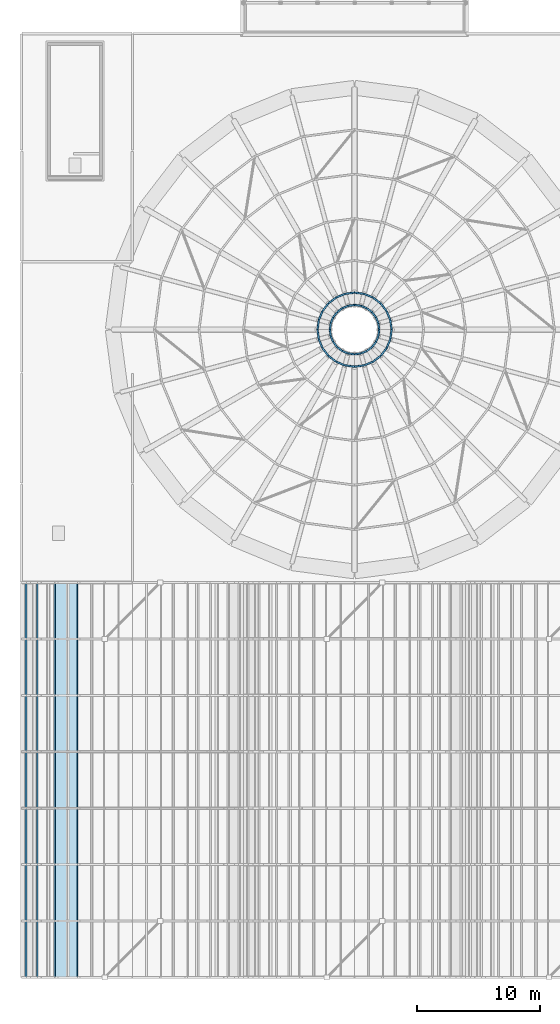
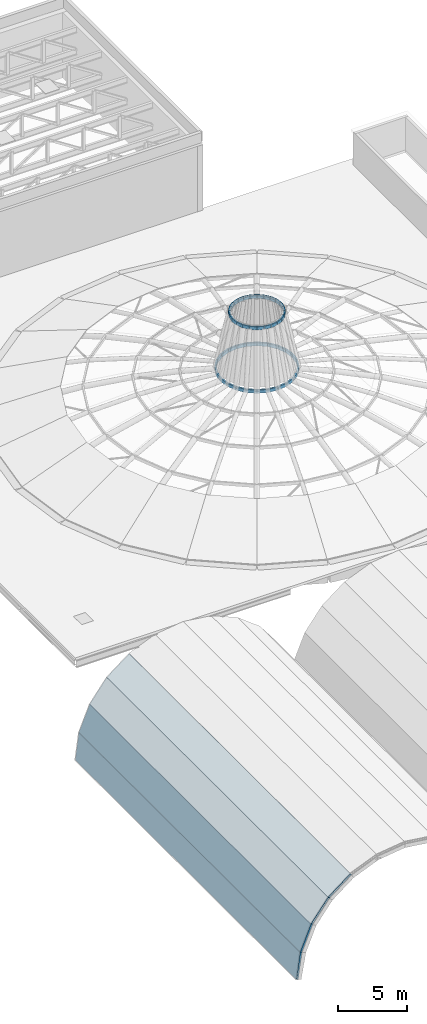
# One storey, part 16 of 25: 48 members, 4 slabs.
"""IFC4 building model written with IfcOpenShell, lengths in metres."""

from ifc_helpers import new_model, si_unit, direction, frame, origin, origin_2d, place, context, subcontext, project, spatial, polyline, hollow_rectangle, outline, extrude, material, layer, layer_set, material_profile, profile_set, type_object, element, save


model = new_model("IFC4")

# Units and contexts
model_context = context("Model", 3, precision=1e-05, world=origin(), true_north=direction((0.0, 1.0)))
body_context = subcontext(model_context, "Body", "Model", "MODEL_VIEW")
ifc_project = project(units=[si_unit("LENGTHUNIT", "METRE"), si_unit("AREAUNIT", "SQUARE_METRE"), si_unit("VOLUMEUNIT", "CUBIC_METRE"), si_unit("PLANEANGLEUNIT", "RADIAN"), si_unit("MASSUNIT", "GRAM", prefix="KILO")], contexts=[model_context])

# Site, building, storey
site_placement = place(None, origin())
site = spatial("IfcSite", under=ifc_project, at=site_placement, CompositionType="ELEMENT")
building_placement = place(site_placement, origin())
building = spatial("IfcBuilding", under=site, at=building_placement, Name="Marnock Terrace Opera House", CompositionType="ELEMENT")
storey_placement = place(building_placement, frame((0.0, 0.0, 28.199951171875)))
storey = spatial("IfcBuildingStorey", under=building, at=storey_placement, Name="RF", CompositionType="ELEMENT", Elevation=28.199951171875)

# Members
ifc_material_1 = material(Name="Cold-formed Steel Grade C350L0 (AS/NZS 1163)", Category="steel")
ifc_material_profile = material_profile(ifc_material_1, hollow_rectangle(XDim=0.14990234375, YDim=0.300048828125, WallThickness=0.010009765625, InnerFilletRadius=0.010009765625, OuterFilletRadius=0.02001953125, at=origin_2d()))
ifc_profile_set = profile_set([ifc_material_profile], Name="Cold-formed Steel Grade C350L0 (AS/NZS 1163)")
member_type = type_object("IfcMemberType", Name="MEM-DOME-RING1", PredefinedType="PURLIN", material=ifc_profile_set)
member_1_placement = place(storey_placement, frame((85.0, 60.5, 3.755126953125), z_axis=(-0.130631937531, 0.991430934002, 0.0), x_axis=(-0.991430934002, -0.130631937531, 0.0)))
element("IfcMember", 1, at=member_1_placement, inside=storey, type_object=member_type, Name="Auditorium dome latitude purlin ring 5.1", PredefinedType="PURLIN", context=body_context, shape_type="SweptSolid", body=[
    extrude(hollow_rectangle(XDim=0.14990234375, YDim=0.300048828125, WallThickness=0.010009765625, InnerFilletRadius=0.010009765625, OuterFilletRadius=0.02001953125, at=origin_2d()), origin(), (0.0, 0.0, 1.0), 0.782958984375),
])
member_2_placement = place(storey_placement, frame((84.0, 60.5, 8.64501953125), z_axis=(-0.130478707622, 0.991451111683, 0.0), x_axis=(-0.991451111683, -0.130478707622, 0.0)))
element("IfcMember", 2, at=member_2_placement, inside=storey, type_object=member_type, Name="Auditorium dome crown compression ring 1", PredefinedType="PURLIN", context=body_context, shape_type="SweptSolid", body=[
    extrude(hollow_rectangle(XDim=0.14990234375, YDim=0.300048828125, WallThickness=0.010009765625, InnerFilletRadius=0.010009765625, OuterFilletRadius=0.02001953125, at=origin_2d()), origin(), (0.0, 0.0, 1.0), 0.52197265625),
])
member_3_placement = place(storey_placement, frame((84.897705078125, 61.2763671875, 3.755126953125), z_axis=(-0.382489454875, 0.923959856763, 0.0), x_axis=(-0.923959856763, -0.382489454875, 0.0)))
element("IfcMember", 3, at=member_3_placement, inside=storey, type_object=member_type, Name="Auditorium dome latitude purlin ring 5.2", PredefinedType="PURLIN", context=body_context, shape_type="SweptSolid", body=[
    extrude(hollow_rectangle(XDim=0.14990234375, YDim=0.300048828125, WallThickness=0.010009765625, InnerFilletRadius=0.010009765625, OuterFilletRadius=0.02001953125, at=origin_2d()), origin(), (0.0, 0.0, 1.0), 0.783203125),
])
member_4_placement = place(storey_placement, frame((83.931884765625, 61.017578125, 8.64501953125), z_axis=(-0.382888531077, 0.923794551169, 0.0), x_axis=(-0.923794551169, -0.382888531077, 0.0)))
element("IfcMember", 4, at=member_4_placement, inside=storey, type_object=member_type, Name="Auditorium dome crown compression ring 2", PredefinedType="PURLIN", context=body_context, shape_type="SweptSolid", body=[
    extrude(hollow_rectangle(XDim=0.14990234375, YDim=0.300048828125, WallThickness=0.010009765625, InnerFilletRadius=0.010009765625, OuterFilletRadius=0.02001953125, at=origin_2d()), origin(), (0.0, 0.0, 1.0), 0.522216796875),
])
member_5_placement = place(storey_placement, frame((84.59814453125, 62.0, 3.755126953125), z_axis=(-0.608791411033, 0.793330333374, 0.0), x_axis=(-0.793330333374, -0.608791411033, 0.0)))
element("IfcMember", 5, at=member_5_placement, inside=storey, type_object=member_type, Name="Auditorium dome latitude purlin ring 5.3", PredefinedType="PURLIN", context=body_context, shape_type="SweptSolid", body=[
    extrude(hollow_rectangle(XDim=0.14990234375, YDim=0.300048828125, WallThickness=0.010009765625, InnerFilletRadius=0.010009765625, OuterFilletRadius=0.02001953125, at=origin_2d()), origin(), (0.0, 0.0, 1.0), 0.783203125),
])
member_6_placement = place(storey_placement, frame((83.73193359375, 61.5, 8.64501953125), z_axis=(-0.608421725759, 0.79361388825, 0.0), x_axis=(-0.79361388825, -0.608421725759, 0.0)))
element("IfcMember", 6, at=member_6_placement, inside=storey, type_object=member_type, Name="Auditorium dome crown compression ring 3", PredefinedType="PURLIN", context=body_context, shape_type="SweptSolid", body=[
    extrude(hollow_rectangle(XDim=0.14990234375, YDim=0.300048828125, WallThickness=0.010009765625, InnerFilletRadius=0.010009765625, OuterFilletRadius=0.02001953125, at=origin_2d()), origin(), (0.0, 0.0, 1.0), 0.52197265625),
])
member_7_placement = place(storey_placement, frame((84.121337890625, 62.621337890625, 3.755126953125), z_axis=(-0.793330333374, 0.608791411033, 0.0), x_axis=(-0.608791411033, -0.793330333374, 0.0)))
element("IfcMember", 7, at=member_7_placement, inside=storey, type_object=member_type, Name="Auditorium dome latitude purlin ring 5.4", PredefinedType="PURLIN", context=body_context, shape_type="SweptSolid", body=[
    extrude(hollow_rectangle(XDim=0.14990234375, YDim=0.300048828125, WallThickness=0.010009765625, InnerFilletRadius=0.010009765625, OuterFilletRadius=0.02001953125, at=origin_2d()), origin(), (0.0, 0.0, 1.0), 0.783203125),
])
member_8_placement = place(storey_placement, frame((83.414306640625, 61.914306640625, 8.64501953125), z_axis=(-0.79361388825, 0.608421725759, 0.0), x_axis=(-0.608421725759, -0.79361388825, 0.0)))
element("IfcMember", 8, at=member_8_placement, inside=storey, type_object=member_type, Name="Auditorium dome crown compression ring 4", PredefinedType="PURLIN", context=body_context, shape_type="SweptSolid", body=[
    extrude(hollow_rectangle(XDim=0.14990234375, YDim=0.300048828125, WallThickness=0.010009765625, InnerFilletRadius=0.010009765625, OuterFilletRadius=0.02001953125, at=origin_2d()), origin(), (0.0, 0.0, 1.0), 0.52197265625),
])
member_9_placement = place(storey_placement, frame((83.5, 63.09814453125, 3.755126953125), z_axis=(-0.923959856763, 0.382489454875, 0.0), x_axis=(-0.382489454875, -0.923959856763, 0.0)))
element("IfcMember", 9, at=member_9_placement, inside=storey, type_object=member_type, Name="Auditorium dome latitude purlin ring 5.5", PredefinedType="PURLIN", context=body_context, shape_type="SweptSolid", body=[
    extrude(hollow_rectangle(XDim=0.14990234375, YDim=0.300048828125, WallThickness=0.010009765625, InnerFilletRadius=0.010009765625, OuterFilletRadius=0.02001953125, at=origin_2d()), origin(), (0.0, 0.0, 1.0), 0.783203125),
])
member_10_placement = place(storey_placement, frame((83.0, 62.23193359375, 8.64501953125), z_axis=(-0.923794551169, 0.382888531077, 0.0), x_axis=(-0.382888531077, -0.923794551169, 0.0)))
element("IfcMember", 10, at=member_10_placement, inside=storey, type_object=member_type, Name="Auditorium dome crown compression ring 5", PredefinedType="PURLIN", context=body_context, shape_type="SweptSolid", body=[
    extrude(hollow_rectangle(XDim=0.14990234375, YDim=0.300048828125, WallThickness=0.010009765625, InnerFilletRadius=0.010009765625, OuterFilletRadius=0.02001953125, at=origin_2d()), origin(), (0.0, 0.0, 1.0), 0.522216796875),
])
member_11_placement = place(storey_placement, frame((82.7763671875, 63.397705078125, 3.755126953125), z_axis=(-0.991430934002, 0.130631937531, 0.0), x_axis=(-0.130631937531, -0.991430934002, 0.0)))
element("IfcMember", 11, at=member_11_placement, inside=storey, type_object=member_type, Name="Auditorium dome latitude purlin ring 5.6", PredefinedType="PURLIN", context=body_context, shape_type="SweptSolid", body=[
    extrude(hollow_rectangle(XDim=0.14990234375, YDim=0.300048828125, WallThickness=0.010009765625, InnerFilletRadius=0.010009765625, OuterFilletRadius=0.02001953125, at=origin_2d()), origin(), (0.0, 0.0, 1.0), 0.782958984375),
])
member_12_placement = place(storey_placement, frame((82.517578125, 62.431884765625, 8.64501953125), z_axis=(-0.991451111683, 0.130478707622, 0.0), x_axis=(-0.130478707622, -0.991451111683, 0.0)))
element("IfcMember", 12, at=member_12_placement, inside=storey, type_object=member_type, Name="Auditorium dome crown compression ring 6", PredefinedType="PURLIN", context=body_context, shape_type="SweptSolid", body=[
    extrude(hollow_rectangle(XDim=0.14990234375, YDim=0.300048828125, WallThickness=0.010009765625, InnerFilletRadius=0.010009765625, OuterFilletRadius=0.02001953125, at=origin_2d()), origin(), (0.0, 0.0, 1.0), 0.52197265625),
])
member_13_placement = place(storey_placement, frame((82.0, 63.5, 3.755126953125), z_axis=(-0.991430934002, -0.130631937531, 0.0), x_axis=(0.130631937531, -0.991430934002, 0.0)))
element("IfcMember", 13, at=member_13_placement, inside=storey, type_object=member_type, Name="Auditorium dome latitude purlin ring 5.7", PredefinedType="PURLIN", context=body_context, shape_type="SweptSolid", body=[
    extrude(hollow_rectangle(XDim=0.14990234375, YDim=0.300048828125, WallThickness=0.010009765625, InnerFilletRadius=0.010009765625, OuterFilletRadius=0.02001953125, at=origin_2d()), origin(), (0.0, 0.0, 1.0), 0.782958984375),
])
member_14_placement = place(storey_placement, frame((82.0, 62.5, 8.64501953125), z_axis=(-0.991451111683, -0.130478707622, 0.0), x_axis=(0.130478707622, -0.991451111683, 0.0)))
element("IfcMember", 14, at=member_14_placement, inside=storey, type_object=member_type, Name="Auditorium dome crown compression ring 7", PredefinedType="PURLIN", context=body_context, shape_type="SweptSolid", body=[
    extrude(hollow_rectangle(XDim=0.14990234375, YDim=0.300048828125, WallThickness=0.010009765625, InnerFilletRadius=0.010009765625, OuterFilletRadius=0.02001953125, at=origin_2d()), origin(), (0.0, 0.0, 1.0), 0.52197265625),
])
member_15_placement = place(storey_placement, frame((81.2236328125, 63.397705078125, 3.755126953125), z_axis=(-0.923959856763, -0.382489454875, 0.0), x_axis=(0.382489454875, -0.923959856763, 0.0)))
element("IfcMember", 15, at=member_15_placement, inside=storey, type_object=member_type, Name="Auditorium dome latitude purlin ring 5.8", PredefinedType="PURLIN", context=body_context, shape_type="SweptSolid", body=[
    extrude(hollow_rectangle(XDim=0.14990234375, YDim=0.300048828125, WallThickness=0.010009765625, InnerFilletRadius=0.010009765625, OuterFilletRadius=0.02001953125, at=origin_2d()), origin(), (0.0, 0.0, 1.0), 0.783203125),
])
member_16_placement = place(storey_placement, frame((81.482421875, 62.431884765625, 8.64501953125), z_axis=(-0.923794551169, -0.382888531077, 0.0), x_axis=(0.382888531077, -0.923794551169, 0.0)))
element("IfcMember", 16, at=member_16_placement, inside=storey, type_object=member_type, Name="Auditorium dome crown compression ring 8", PredefinedType="PURLIN", context=body_context, shape_type="SweptSolid", body=[
    extrude(hollow_rectangle(XDim=0.14990234375, YDim=0.300048828125, WallThickness=0.010009765625, InnerFilletRadius=0.010009765625, OuterFilletRadius=0.02001953125, at=origin_2d()), origin(), (0.0, 0.0, 1.0), 0.522216796875),
])
member_17_placement = place(storey_placement, frame((80.5, 63.09814453125, 3.755126953125), z_axis=(-0.793330333374, -0.608791411033, 0.0), x_axis=(0.608791411033, -0.793330333374, 0.0)))
element("IfcMember", 17, at=member_17_placement, inside=storey, type_object=member_type, Name="Auditorium dome latitude purlin ring 5.9", PredefinedType="PURLIN", context=body_context, shape_type="SweptSolid", body=[
    extrude(hollow_rectangle(XDim=0.14990234375, YDim=0.300048828125, WallThickness=0.010009765625, InnerFilletRadius=0.010009765625, OuterFilletRadius=0.02001953125, at=origin_2d()), origin(), (0.0, 0.0, 1.0), 0.783203125),
])
member_18_placement = place(storey_placement, frame((81.0, 62.23193359375, 8.64501953125), z_axis=(-0.79361388825, -0.608421725759, 0.0), x_axis=(0.608421725759, -0.79361388825, 0.0)))
element("IfcMember", 18, at=member_18_placement, inside=storey, type_object=member_type, Name="Auditorium dome crown compression ring 9", PredefinedType="PURLIN", context=body_context, shape_type="SweptSolid", body=[
    extrude(hollow_rectangle(XDim=0.14990234375, YDim=0.300048828125, WallThickness=0.010009765625, InnerFilletRadius=0.010009765625, OuterFilletRadius=0.02001953125, at=origin_2d()), origin(), (0.0, 0.0, 1.0), 0.52197265625),
])
member_19_placement = place(storey_placement, frame((79.878662109375, 62.621337890625, 3.755126953125), z_axis=(-0.608791411033, -0.793330333374, 0.0), x_axis=(0.793330333374, -0.608791411033, 0.0)))
element("IfcMember", 19, at=member_19_placement, inside=storey, type_object=member_type, Name="Auditorium dome latitude purlin ring 5.10", PredefinedType="PURLIN", context=body_context, shape_type="SweptSolid", body=[
    extrude(hollow_rectangle(XDim=0.14990234375, YDim=0.300048828125, WallThickness=0.010009765625, InnerFilletRadius=0.010009765625, OuterFilletRadius=0.02001953125, at=origin_2d()), origin(), (0.0, 0.0, 1.0), 0.783203125),
])
member_20_placement = place(storey_placement, frame((80.585693359375, 61.914306640625, 8.64501953125), z_axis=(-0.608421725759, -0.79361388825, 0.0), x_axis=(0.79361388825, -0.608421725759, 0.0)))
element("IfcMember", 20, at=member_20_placement, inside=storey, type_object=member_type, Name="Auditorium dome crown compression ring 10", PredefinedType="PURLIN", context=body_context, shape_type="SweptSolid", body=[
    extrude(hollow_rectangle(XDim=0.14990234375, YDim=0.300048828125, WallThickness=0.010009765625, InnerFilletRadius=0.010009765625, OuterFilletRadius=0.02001953125, at=origin_2d()), origin(), (0.0, 0.0, 1.0), 0.52197265625),
])
member_21_placement = place(storey_placement, frame((79.40185546875, 62.0, 3.755126953125), z_axis=(-0.382489454875, -0.923959856763, 0.0), x_axis=(0.923959856763, -0.382489454875, 0.0)))
element("IfcMember", 21, at=member_21_placement, inside=storey, type_object=member_type, Name="Auditorium dome latitude purlin ring 5.11", PredefinedType="PURLIN", context=body_context, shape_type="SweptSolid", body=[
    extrude(hollow_rectangle(XDim=0.14990234375, YDim=0.300048828125, WallThickness=0.010009765625, InnerFilletRadius=0.010009765625, OuterFilletRadius=0.02001953125, at=origin_2d()), origin(), (0.0, 0.0, 1.0), 0.783203125),
])
member_22_placement = place(storey_placement, frame((80.26806640625, 61.5, 8.64501953125), z_axis=(-0.382888531077, -0.923794551169, 0.0), x_axis=(0.923794551169, -0.382888531077, 0.0)))
element("IfcMember", 22, at=member_22_placement, inside=storey, type_object=member_type, Name="Auditorium dome crown compression ring 11", PredefinedType="PURLIN", context=body_context, shape_type="SweptSolid", body=[
    extrude(hollow_rectangle(XDim=0.14990234375, YDim=0.300048828125, WallThickness=0.010009765625, InnerFilletRadius=0.010009765625, OuterFilletRadius=0.02001953125, at=origin_2d()), origin(), (0.0, 0.0, 1.0), 0.522216796875),
])
member_23_placement = place(storey_placement, frame((79.102294921875, 61.2763671875, 3.755126953125), z_axis=(-0.130631937531, -0.991430934002, 0.0), x_axis=(0.991430934002, -0.130631937531, 0.0)))
element("IfcMember", 23, at=member_23_placement, inside=storey, type_object=member_type, Name="Auditorium dome latitude purlin ring 5.12", PredefinedType="PURLIN", context=body_context, shape_type="SweptSolid", body=[
    extrude(hollow_rectangle(XDim=0.14990234375, YDim=0.300048828125, WallThickness=0.010009765625, InnerFilletRadius=0.010009765625, OuterFilletRadius=0.02001953125, at=origin_2d()), origin(), (0.0, 0.0, 1.0), 0.782958984375),
])
member_24_placement = place(storey_placement, frame((80.068115234375, 61.017578125, 8.64501953125), z_axis=(-0.130478707622, -0.991451111683, 0.0), x_axis=(0.991451111683, -0.130478707622, 0.0)))
element("IfcMember", 24, at=member_24_placement, inside=storey, type_object=member_type, Name="Auditorium dome crown compression ring 12", PredefinedType="PURLIN", context=body_context, shape_type="SweptSolid", body=[
    extrude(hollow_rectangle(XDim=0.14990234375, YDim=0.300048828125, WallThickness=0.010009765625, InnerFilletRadius=0.010009765625, OuterFilletRadius=0.02001953125, at=origin_2d()), origin(), (0.0, 0.0, 1.0), 0.52197265625),
])
member_25_placement = place(storey_placement, frame((79.0, 60.5, 3.755126953125), z_axis=(0.130631937531, -0.991430934002, 0.0), x_axis=(0.991430934002, 0.130631937531, 0.0)))
element("IfcMember", 25, at=member_25_placement, inside=storey, type_object=member_type, Name="Auditorium dome latitude purlin ring 5.13", PredefinedType="PURLIN", context=body_context, shape_type="SweptSolid", body=[
    extrude(hollow_rectangle(XDim=0.14990234375, YDim=0.300048828125, WallThickness=0.010009765625, InnerFilletRadius=0.010009765625, OuterFilletRadius=0.02001953125, at=origin_2d()), origin(), (0.0, 0.0, 1.0), 0.782958984375),
])
member_26_placement = place(storey_placement, frame((80.0, 60.5, 8.64501953125), z_axis=(0.130478707622, -0.991451111683, 0.0), x_axis=(0.991451111683, 0.130478707622, 0.0)))
element("IfcMember", 26, at=member_26_placement, inside=storey, type_object=member_type, Name="Auditorium dome crown compression ring 13", PredefinedType="PURLIN", context=body_context, shape_type="SweptSolid", body=[
    extrude(hollow_rectangle(XDim=0.14990234375, YDim=0.300048828125, WallThickness=0.010009765625, InnerFilletRadius=0.010009765625, OuterFilletRadius=0.02001953125, at=origin_2d()), origin(), (0.0, 0.0, 1.0), 0.52197265625),
])
member_27_placement = place(storey_placement, frame((79.102294921875, 59.7236328125, 3.755126953125), z_axis=(0.382489454875, -0.923959856763, 0.0), x_axis=(0.923959856763, 0.382489454875, 0.0)))
element("IfcMember", 27, at=member_27_placement, inside=storey, type_object=member_type, Name="Auditorium dome latitude purlin ring 5.14", PredefinedType="PURLIN", context=body_context, shape_type="SweptSolid", body=[
    extrude(hollow_rectangle(XDim=0.14990234375, YDim=0.300048828125, WallThickness=0.010009765625, InnerFilletRadius=0.010009765625, OuterFilletRadius=0.02001953125, at=origin_2d()), origin(), (0.0, 0.0, 1.0), 0.783203125),
])
member_28_placement = place(storey_placement, frame((80.068115234375, 59.982421875, 8.64501953125), z_axis=(0.382888531077, -0.923794551169, 0.0), x_axis=(0.923794551169, 0.382888531077, 0.0)))
element("IfcMember", 28, at=member_28_placement, inside=storey, type_object=member_type, Name="Auditorium dome crown compression ring 14", PredefinedType="PURLIN", context=body_context, shape_type="SweptSolid", body=[
    extrude(hollow_rectangle(XDim=0.14990234375, YDim=0.300048828125, WallThickness=0.010009765625, InnerFilletRadius=0.010009765625, OuterFilletRadius=0.02001953125, at=origin_2d()), origin(), (0.0, 0.0, 1.0), 0.522216796875),
])
member_29_placement = place(storey_placement, frame((79.40185546875, 59.0, 3.755126953125), z_axis=(0.608791411033, -0.793330333374, 0.0), x_axis=(0.793330333374, 0.608791411033, 0.0)))
element("IfcMember", 29, at=member_29_placement, inside=storey, type_object=member_type, Name="Auditorium dome latitude purlin ring 5.15", PredefinedType="PURLIN", context=body_context, shape_type="SweptSolid", body=[
    extrude(hollow_rectangle(XDim=0.14990234375, YDim=0.300048828125, WallThickness=0.010009765625, InnerFilletRadius=0.010009765625, OuterFilletRadius=0.02001953125, at=origin_2d()), origin(), (0.0, 0.0, 1.0), 0.783203125),
])
member_30_placement = place(storey_placement, frame((80.26806640625, 59.5, 8.64501953125), z_axis=(0.608421725759, -0.79361388825, 0.0), x_axis=(0.79361388825, 0.608421725759, 0.0)))
element("IfcMember", 30, at=member_30_placement, inside=storey, type_object=member_type, Name="Auditorium dome crown compression ring 15", PredefinedType="PURLIN", context=body_context, shape_type="SweptSolid", body=[
    extrude(hollow_rectangle(XDim=0.14990234375, YDim=0.300048828125, WallThickness=0.010009765625, InnerFilletRadius=0.010009765625, OuterFilletRadius=0.02001953125, at=origin_2d()), origin(), (0.0, 0.0, 1.0), 0.52197265625),
])
member_31_placement = place(storey_placement, frame((79.878662109375, 58.378662109375, 3.755126953125), z_axis=(0.793330333374, -0.608791411033, 0.0), x_axis=(0.608791411033, 0.793330333374, 0.0)))
element("IfcMember", 31, at=member_31_placement, inside=storey, type_object=member_type, Name="Auditorium dome latitude purlin ring 5.16", PredefinedType="PURLIN", context=body_context, shape_type="SweptSolid", body=[
    extrude(hollow_rectangle(XDim=0.14990234375, YDim=0.300048828125, WallThickness=0.010009765625, InnerFilletRadius=0.010009765625, OuterFilletRadius=0.02001953125, at=origin_2d()), origin(), (0.0, 0.0, 1.0), 0.783203125),
])
member_32_placement = place(storey_placement, frame((80.585693359375, 59.085693359375, 8.64501953125), z_axis=(0.79361388825, -0.608421725759, 0.0), x_axis=(0.608421725759, 0.79361388825, 0.0)))
element("IfcMember", 32, at=member_32_placement, inside=storey, type_object=member_type, Name="Auditorium dome crown compression ring 16", PredefinedType="PURLIN", context=body_context, shape_type="SweptSolid", body=[
    extrude(hollow_rectangle(XDim=0.14990234375, YDim=0.300048828125, WallThickness=0.010009765625, InnerFilletRadius=0.010009765625, OuterFilletRadius=0.02001953125, at=origin_2d()), origin(), (0.0, 0.0, 1.0), 0.52197265625),
])
member_33_placement = place(storey_placement, frame((80.5, 57.90185546875, 3.755126953125), z_axis=(0.923959856763, -0.382489454875, 0.0), x_axis=(0.382489454875, 0.923959856763, 0.0)))
element("IfcMember", 33, at=member_33_placement, inside=storey, type_object=member_type, Name="Auditorium dome latitude purlin ring 5.17", PredefinedType="PURLIN", context=body_context, shape_type="SweptSolid", body=[
    extrude(hollow_rectangle(XDim=0.14990234375, YDim=0.300048828125, WallThickness=0.010009765625, InnerFilletRadius=0.010009765625, OuterFilletRadius=0.02001953125, at=origin_2d()), origin(), (0.0, 0.0, 1.0), 0.783203125),
])
member_34_placement = place(storey_placement, frame((81.0, 58.76806640625, 8.64501953125), z_axis=(0.923794551169, -0.382888531077, 0.0), x_axis=(0.382888531077, 0.923794551169, 0.0)))
element("IfcMember", 34, at=member_34_placement, inside=storey, type_object=member_type, Name="Auditorium dome crown compression ring 17", PredefinedType="PURLIN", context=body_context, shape_type="SweptSolid", body=[
    extrude(hollow_rectangle(XDim=0.14990234375, YDim=0.300048828125, WallThickness=0.010009765625, InnerFilletRadius=0.010009765625, OuterFilletRadius=0.02001953125, at=origin_2d()), origin(), (0.0, 0.0, 1.0), 0.522216796875),
])
member_35_placement = place(storey_placement, frame((81.2236328125, 57.602294921875, 3.755126953125), z_axis=(0.991430934002, -0.130631937531, 0.0), x_axis=(0.130631937531, 0.991430934002, 0.0)))
element("IfcMember", 35, at=member_35_placement, inside=storey, type_object=member_type, Name="Auditorium dome latitude purlin ring 5.18", PredefinedType="PURLIN", context=body_context, shape_type="SweptSolid", body=[
    extrude(hollow_rectangle(XDim=0.14990234375, YDim=0.300048828125, WallThickness=0.010009765625, InnerFilletRadius=0.010009765625, OuterFilletRadius=0.02001953125, at=origin_2d()), origin(), (0.0, 0.0, 1.0), 0.782958984375),
])
member_36_placement = place(storey_placement, frame((81.482421875, 58.568115234375, 8.64501953125), z_axis=(0.991451111683, -0.130478707622, 0.0), x_axis=(0.130478707622, 0.991451111683, 0.0)))
element("IfcMember", 36, at=member_36_placement, inside=storey, type_object=member_type, Name="Auditorium dome crown compression ring 18", PredefinedType="PURLIN", context=body_context, shape_type="SweptSolid", body=[
    extrude(hollow_rectangle(XDim=0.14990234375, YDim=0.300048828125, WallThickness=0.010009765625, InnerFilletRadius=0.010009765625, OuterFilletRadius=0.02001953125, at=origin_2d()), origin(), (0.0, 0.0, 1.0), 0.52197265625),
])
member_37_placement = place(storey_placement, frame((82.0, 57.5, 3.755126953125), z_axis=(0.991430934002, 0.130631937531, 0.0), x_axis=(-0.130631937531, 0.991430934002, 0.0)))
element("IfcMember", 37, at=member_37_placement, inside=storey, type_object=member_type, Name="Auditorium dome latitude purlin ring 5.19", PredefinedType="PURLIN", context=body_context, shape_type="SweptSolid", body=[
    extrude(hollow_rectangle(XDim=0.14990234375, YDim=0.300048828125, WallThickness=0.010009765625, InnerFilletRadius=0.010009765625, OuterFilletRadius=0.02001953125, at=origin_2d()), origin(), (0.0, 0.0, 1.0), 0.782958984375),
])
member_38_placement = place(storey_placement, frame((82.0, 58.5, 8.64501953125), z_axis=(0.991451111683, 0.130478707622, 0.0), x_axis=(-0.130478707622, 0.991451111683, 0.0)))
element("IfcMember", 38, at=member_38_placement, inside=storey, type_object=member_type, Name="Auditorium dome crown compression ring 19", PredefinedType="PURLIN", context=body_context, shape_type="SweptSolid", body=[
    extrude(hollow_rectangle(XDim=0.14990234375, YDim=0.300048828125, WallThickness=0.010009765625, InnerFilletRadius=0.010009765625, OuterFilletRadius=0.02001953125, at=origin_2d()), origin(), (0.0, 0.0, 1.0), 0.52197265625),
])
member_39_placement = place(storey_placement, frame((82.7763671875, 57.602294921875, 3.755126953125), z_axis=(0.923959856763, 0.382489454875, 0.0), x_axis=(-0.382489454875, 0.923959856763, 0.0)))
element("IfcMember", 39, at=member_39_placement, inside=storey, type_object=member_type, Name="Auditorium dome latitude purlin ring 5.20", PredefinedType="PURLIN", context=body_context, shape_type="SweptSolid", body=[
    extrude(hollow_rectangle(XDim=0.14990234375, YDim=0.300048828125, WallThickness=0.010009765625, InnerFilletRadius=0.010009765625, OuterFilletRadius=0.02001953125, at=origin_2d()), origin(), (0.0, 0.0, 1.0), 0.783203125),
])
member_40_placement = place(storey_placement, frame((82.517578125, 58.568115234375, 8.64501953125), z_axis=(0.923794551169, 0.382888531077, 0.0), x_axis=(-0.382888531077, 0.923794551169, 0.0)))
element("IfcMember", 40, at=member_40_placement, inside=storey, type_object=member_type, Name="Auditorium dome crown compression ring 20", PredefinedType="PURLIN", context=body_context, shape_type="SweptSolid", body=[
    extrude(hollow_rectangle(XDim=0.14990234375, YDim=0.300048828125, WallThickness=0.010009765625, InnerFilletRadius=0.010009765625, OuterFilletRadius=0.02001953125, at=origin_2d()), origin(), (0.0, 0.0, 1.0), 0.522216796875),
])
member_41_placement = place(storey_placement, frame((83.5, 57.90185546875, 3.755126953125), z_axis=(0.793330333374, 0.608791411033, 0.0), x_axis=(-0.608791411033, 0.793330333374, 0.0)))
element("IfcMember", 41, at=member_41_placement, inside=storey, type_object=member_type, Name="Auditorium dome latitude purlin ring 5.21", PredefinedType="PURLIN", context=body_context, shape_type="SweptSolid", body=[
    extrude(hollow_rectangle(XDim=0.14990234375, YDim=0.300048828125, WallThickness=0.010009765625, InnerFilletRadius=0.010009765625, OuterFilletRadius=0.02001953125, at=origin_2d()), origin(), (0.0, 0.0, 1.0), 0.783203125),
])
member_42_placement = place(storey_placement, frame((83.0, 58.76806640625, 8.64501953125), z_axis=(0.79361388825, 0.608421725759, 0.0), x_axis=(-0.608421725759, 0.79361388825, 0.0)))
element("IfcMember", 42, at=member_42_placement, inside=storey, type_object=member_type, Name="Auditorium dome crown compression ring 21", PredefinedType="PURLIN", context=body_context, shape_type="SweptSolid", body=[
    extrude(hollow_rectangle(XDim=0.14990234375, YDim=0.300048828125, WallThickness=0.010009765625, InnerFilletRadius=0.010009765625, OuterFilletRadius=0.02001953125, at=origin_2d()), origin(), (0.0, 0.0, 1.0), 0.52197265625),
])
member_43_placement = place(storey_placement, frame((84.121337890625, 58.378662109375, 3.755126953125), z_axis=(0.608791411033, 0.793330333374, 0.0), x_axis=(-0.793330333374, 0.608791411033, 0.0)))
element("IfcMember", 43, at=member_43_placement, inside=storey, type_object=member_type, Name="Auditorium dome latitude purlin ring 5.22", PredefinedType="PURLIN", context=body_context, shape_type="SweptSolid", body=[
    extrude(hollow_rectangle(XDim=0.14990234375, YDim=0.300048828125, WallThickness=0.010009765625, InnerFilletRadius=0.010009765625, OuterFilletRadius=0.02001953125, at=origin_2d()), origin(), (0.0, 0.0, 1.0), 0.783203125),
])
member_44_placement = place(storey_placement, frame((83.414306640625, 59.085693359375, 8.64501953125), z_axis=(0.608421725759, 0.79361388825, 0.0), x_axis=(-0.79361388825, 0.608421725759, 0.0)))
element("IfcMember", 44, at=member_44_placement, inside=storey, type_object=member_type, Name="Auditorium dome crown compression ring 22", PredefinedType="PURLIN", context=body_context, shape_type="SweptSolid", body=[
    extrude(hollow_rectangle(XDim=0.14990234375, YDim=0.300048828125, WallThickness=0.010009765625, InnerFilletRadius=0.010009765625, OuterFilletRadius=0.02001953125, at=origin_2d()), origin(), (0.0, 0.0, 1.0), 0.52197265625),
])
member_45_placement = place(storey_placement, frame((84.59814453125, 59.0, 3.755126953125), z_axis=(0.382489454875, 0.923959856763, 0.0), x_axis=(-0.923959856763, 0.382489454875, 0.0)))
element("IfcMember", 45, at=member_45_placement, inside=storey, type_object=member_type, Name="Auditorium dome latitude purlin ring 5.23", PredefinedType="PURLIN", context=body_context, shape_type="SweptSolid", body=[
    extrude(hollow_rectangle(XDim=0.14990234375, YDim=0.300048828125, WallThickness=0.010009765625, InnerFilletRadius=0.010009765625, OuterFilletRadius=0.02001953125, at=origin_2d()), origin(), (0.0, 0.0, 1.0), 0.783203125),
])
member_46_placement = place(storey_placement, frame((83.73193359375, 59.5, 8.64501953125), z_axis=(0.382888531077, 0.923794551169, 0.0), x_axis=(-0.923794551169, 0.382888531077, 0.0)))
element("IfcMember", 46, at=member_46_placement, inside=storey, type_object=member_type, Name="Auditorium dome crown compression ring 23", PredefinedType="PURLIN", context=body_context, shape_type="SweptSolid", body=[
    extrude(hollow_rectangle(XDim=0.14990234375, YDim=0.300048828125, WallThickness=0.010009765625, InnerFilletRadius=0.010009765625, OuterFilletRadius=0.02001953125, at=origin_2d()), origin(), (0.0, 0.0, 1.0), 0.522216796875),
])
member_47_placement = place(storey_placement, frame((84.897705078125, 59.7236328125, 3.755126953125), z_axis=(0.130631937531, 0.991430934002, 0.0), x_axis=(-0.991430934002, 0.130631937531, 0.0)))
element("IfcMember", 47, at=member_47_placement, inside=storey, type_object=member_type, Name="Auditorium dome latitude purlin ring 5.24", PredefinedType="PURLIN", context=body_context, shape_type="SweptSolid", body=[
    extrude(hollow_rectangle(XDim=0.14990234375, YDim=0.300048828125, WallThickness=0.010009765625, InnerFilletRadius=0.010009765625, OuterFilletRadius=0.02001953125, at=origin_2d()), origin(), (0.0, 0.0, 1.0), 0.782958984375),
])
member_48_placement = place(storey_placement, frame((83.931884765625, 59.982421875, 8.64501953125), z_axis=(0.130478707622, 0.991451111683, 0.0), x_axis=(-0.991451111683, 0.130478707622, 0.0)))
element("IfcMember", 48, at=member_48_placement, inside=storey, type_object=member_type, Name="Auditorium dome crown compression ring 24", PredefinedType="PURLIN", context=body_context, shape_type="SweptSolid", body=[
    extrude(hollow_rectangle(XDim=0.14990234375, YDim=0.300048828125, WallThickness=0.010009765625, InnerFilletRadius=0.010009765625, OuterFilletRadius=0.02001953125, at=origin_2d()), origin(), (0.0, 0.0, 1.0), 0.52197265625),
])

# Slabs
ifc_material_2 = material(Name="Steel Grade 350 (AS/NZS 3679.1)", Category="steel")
ifc_layer = layer(ifc_material_2, 0.159912109375)
ifc_layer_set = layer_set([ifc_layer], Name="Steel Grade 350 (AS/NZS 3679.1)")
slab_type = type_object("IfcSlabType", Name="SL-CANOPY-160", PredefinedType="ROOF", material=ifc_layer_set)
slab_1_placement = place(storey_placement, frame((55.0, 8.0, -9.0), z_axis=(-0.991446158732, 0.0, 0.130516337425), x_axis=(0.130516337425, 0.0, 0.991446158732)))
element("IfcSlab", 49, at=slab_1_placement, inside=storey, type_object=slab_type, Name="Barrel vault 1 composite structural shell facet 1", PredefinedType="ROOF", context=body_context, shape_type="SweptSolid", body=[
    extrude(outline(polyline([(0.0, 0.0), (2.3494424610037363, 0.0), (2.3494424610037363, 32.0), (0.0, 32.0), (0.0, 0.0)])), origin(), (0.0, 0.0, -1.0), 0.159912109375),
])
slab_2_placement = place(storey_placement, frame((55.306640625, 8.0, -6.670654296875), z_axis=(-0.92387118479, 0.0, 0.382703584926), x_axis=(0.382703584926, 0.0, 0.92387118479)))
element("IfcSlab", 50, at=slab_2_placement, inside=storey, type_object=slab_type, Name="Barrel vault 1 composite structural shell facet 2", PredefinedType="ROOF", context=body_context, shape_type="SweptSolid", body=[
    extrude(outline(polyline([(0.0, 0.0), (2.349520509582028, 0.0), (2.349520509582028, 32.00000000000001), (0.0, 32.00000000000001), (0.0, 0.0)])), origin(), (0.0, 0.0, -1.0), 0.159912109375),
])
for number, where, z_axis, x_axis, name in (
    (51, (56.205810546875, 8.0, -4.5), (-0.793380518121, 0.0, 0.608726008534), (0.608726008534, 0.0, 0.793380518121), "Barrel vault 1 composite structural shell facet 3"),
    (52, (57.635986328125, 8.0, -2.635986328125), (-0.608726008534, 0.0, 0.793380518121), (0.793380518121, 0.0, 0.608726008534), "Barrel vault 1 composite structural shell facet 4"),
):
    element("IfcSlab", number, at=place(storey_placement, frame(where, z_axis=z_axis, x_axis=x_axis)), inside=storey, type_object=slab_type, Name=name, PredefinedType="ROOF", context=body_context, shape_type="SweptSolid", body=[
        extrude(outline(polyline([(0.0, 0.0), (2.349457327599496, 0.0), (2.349457327599496, 32.0), (0.0, 32.0), (0.0, 0.0)])), origin(), (0.0, 0.0, -1.0), 0.159912109375),
    ])

save(model, "model.ifc")
